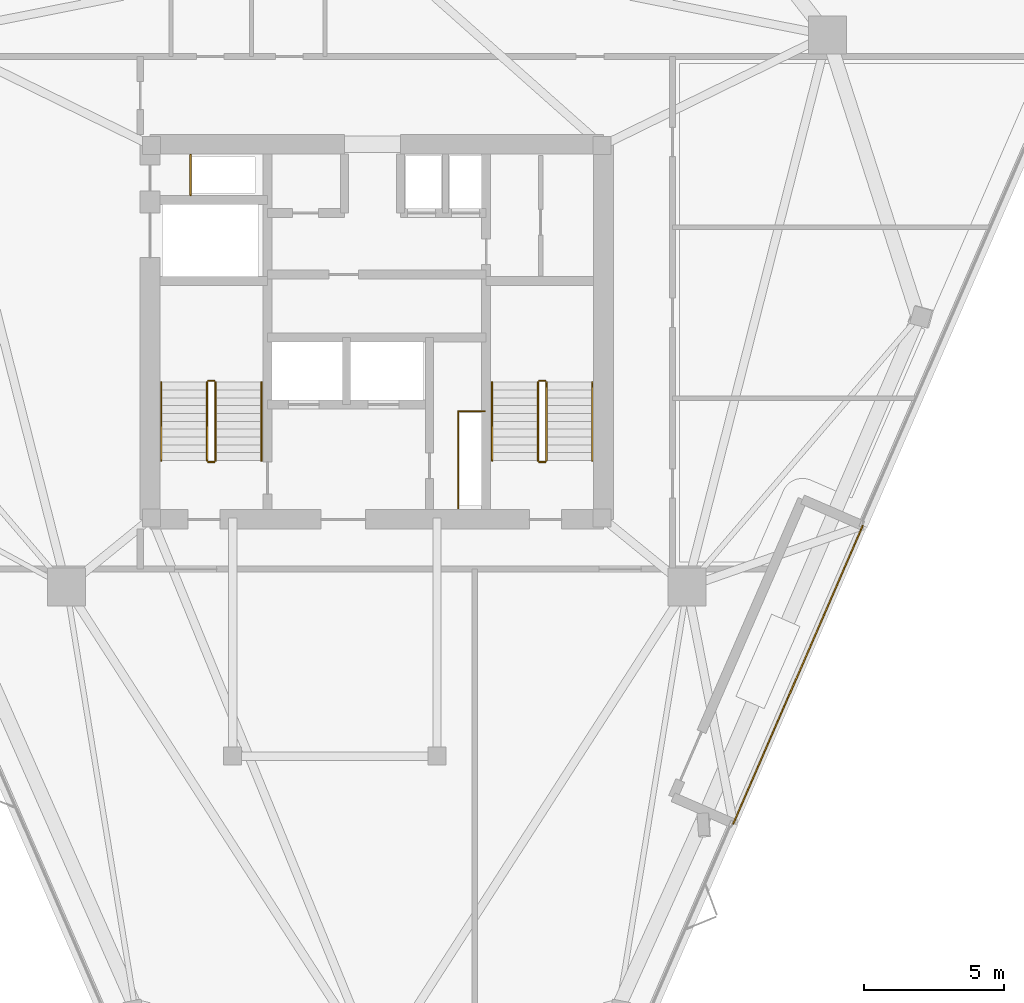
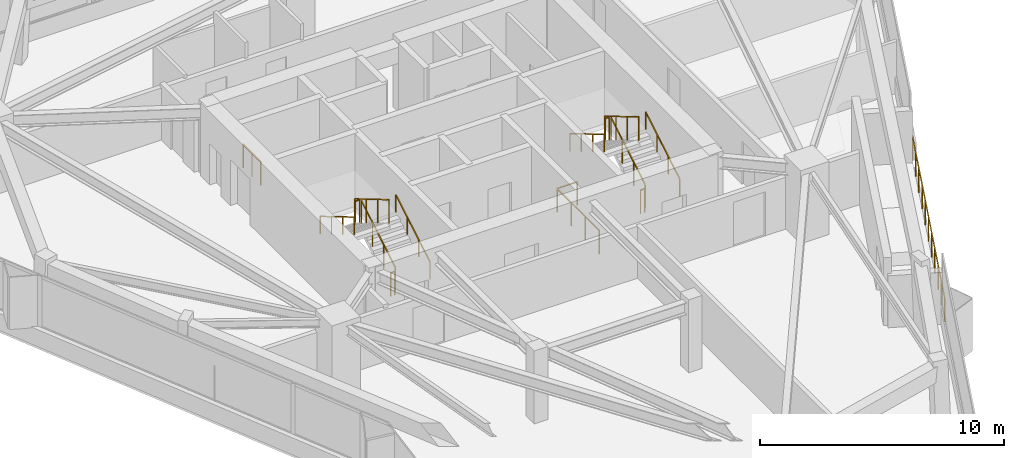
# One storey, part 10 of 11: 15 railings.
"""IFC4 building model written with IfcOpenShell, lengths in metres."""

from ifc_helpers import new_model, si_unit, direction, frame, origin, origin_2d, place, context, subcontext, project, spatial, rectangle, extrude, material, type_object, element, save


model = new_model("IFC4")

# Units and contexts
model_context = context("Model", 3, precision=1e-05, world=origin(), true_north=direction((0.0, 1.0)))
body_context = subcontext(model_context, "Body", "Model", "MODEL_VIEW")
ifc_project = project(units=[si_unit("LENGTHUNIT", "METRE"), si_unit("AREAUNIT", "SQUARE_METRE"), si_unit("VOLUMEUNIT", "CUBIC_METRE"), si_unit("PLANEANGLEUNIT", "RADIAN"), si_unit("MASSUNIT", "GRAM", prefix="KILO")], contexts=[model_context])

# Site, building, storey
site_placement = place(None, origin())
site = spatial("IfcSite", under=ifc_project, at=site_placement, CompositionType="ELEMENT")
building_placement = place(site_placement, origin())
building = spatial("IfcBuilding", under=site, at=building_placement, Name="Talyreon Biosciences Tower", CompositionType="ELEMENT")
storey_placement = place(building_placement, frame((0.0, 0.0, 201.300048828125)))
storey = spatial("IfcBuildingStorey", under=building, at=storey_placement, Name="L53", CompositionType="ELEMENT", Elevation=201.300048828125)

# Railings
ifc_material_1 = material(Name="Stainless-steel and laminated glass balustrade", Category="steel")
railing_type_1 = type_object("IfcRailingType", Name="SkyGardenGlassBalustrade_1250", PredefinedType="GUARDRAIL", material=ifc_material_1)
railing_1_placement = place(storey_placement, frame((83.36376953125, 61.074462890625, 0.0)))
element("IfcRailing", 1, at=railing_1_placement, inside=storey, type_object=railing_type_1, Name="L53 Terrace Edge Balustrade 03", PredefinedType="GUARDRAIL", context=body_context, shape_type="SweptSolid", body=[
    extrude(rectangle(XDim=0.048095703125, YDim=0.048095703125, at=origin_2d()), frame((0.0, 0.0, 1.22607421875), z_axis=(-0.398636069233, -0.917109199772, 0.0), x_axis=(0.917109199772, -0.398636069233, 0.0)), (0.0, 0.0, 1.0), 11.600341796875),
    extrude(rectangle(XDim=0.0419921875, YDim=0.0419921875, at=origin_2d()), origin(), (0.0, 0.0, 1.0), 1.201904296875),
    extrude(rectangle(XDim=0.0419921875, YDim=0.0419921875, at=origin_2d()), frame((-0.46240234375, -1.06396484375, 0.0)), (0.0, 0.0, 1.0), 1.201904296875),
    extrude(rectangle(XDim=0.0419921875, YDim=0.0419921875, at=origin_2d()), frame((-0.9248046875, -2.127685546875, 0.0)), (0.0, 0.0, 1.0), 1.201904296875),
    extrude(rectangle(XDim=0.0419921875, YDim=0.0419921875, at=origin_2d()), frame((-1.38720703125, -3.191650390625, 0.0)), (0.0, 0.0, 1.0), 1.201904296875),
    extrude(rectangle(XDim=0.0419921875, YDim=0.0419921875, at=origin_2d()), frame((-1.849609375, -4.25537109375, 0.0)), (0.0, 0.0, 1.0), 1.201904296875),
    extrude(rectangle(XDim=0.0419921875, YDim=0.0419921875, at=origin_2d()), frame((-2.31201171875, -5.3193359375, 0.0)), (0.0, 0.0, 1.0), 1.201904296875),
    extrude(rectangle(XDim=0.0419921875, YDim=0.0419921875, at=origin_2d()), frame((-2.774658203125, -6.38330078125, 0.0)), (0.0, 0.0, 1.0), 1.201904296875),
    extrude(rectangle(XDim=0.0419921875, YDim=0.0419921875, at=origin_2d()), frame((-3.237060546875, -7.447021484375, 0.0)), (0.0, 0.0, 1.0), 1.201904296875),
    extrude(rectangle(XDim=0.0419921875, YDim=0.0419921875, at=origin_2d()), frame((-3.699462890625, -8.510986328125, 0.0)), (0.0, 0.0, 1.0), 1.201904296875),
    extrude(rectangle(XDim=0.0419921875, YDim=0.0419921875, at=origin_2d()), frame((-4.161865234375, -9.57470703125, 0.0)), (0.0, 0.0, 1.0), 1.201904296875),
    extrude(rectangle(XDim=0.0419921875, YDim=0.0419921875, at=origin_2d()), frame((-4.624267578125, -10.638671875, 0.0)), (0.0, 0.0, 1.0), 1.201904296875),
])
ifc_material_2 = material(Name="Brushed stainless-steel tubular handrail", Category="steel")
railing_type_2 = type_object("IfcRailingType", Name="StairWallHandrail_900", PredefinedType="HANDRAIL", material=ifc_material_2)
railing_2_placement = place(storey_placement, frame((61.8798828125, 63.39990234375, 0.165771484375)))
element("IfcRailing", 2, at=railing_2_placement, inside=storey, type_object=railing_type_2, Name="L53 ST-1 stair handrail 1", PredefinedType="HANDRAIL", context=body_context, shape_type="SweptSolid", body=[
    extrude(rectangle(XDim=0.048095703125, YDim=0.048095703125, at=origin_2d()), frame((0.0, 0.0, 0.8759765625), z_axis=(0.0, 0.860306154799, 0.50977771628), x_axis=(-1.0, 0.0, 0.0)), (0.0, 0.0, 1.0), 3.254638671875),
    extrude(rectangle(XDim=0.0419921875, YDim=0.0419921875, at=origin_2d()), origin(), (0.0, 0.0, 1.0), 0.851806640625),
    extrude(rectangle(XDim=0.0419921875, YDim=0.0419921875, at=origin_2d()), frame((0.0, 0.933349609375, 0.552978515625)), (0.0, 0.0, 1.0), 0.851806640625),
    extrude(rectangle(XDim=0.0419921875, YDim=0.0419921875, at=origin_2d()), frame((0.0, 1.86669921875, 1.106201171875)), (0.0, 0.0, 1.0), 0.851806640625),
    extrude(rectangle(XDim=0.0419921875, YDim=0.0419921875, at=origin_2d()), frame((0.0, 2.800048828125, 1.6591796875)), (0.0, 0.0, 1.0), 0.851806640625),
])
railing_3_placement = place(storey_placement, frame((58.300048828125, 66.199951171875, 1.990966796875)))
element("IfcRailing", 3, at=railing_3_placement, inside=storey, type_object=railing_type_2, Name="L53 ST-1 stair handrail 2", PredefinedType="HANDRAIL", context=body_context, shape_type="SweptSolid", body=[
    extrude(rectangle(XDim=0.048095703125, YDim=0.048095703125, at=origin_2d()), frame((0.0, 0.0, 0.8759765625), z_axis=(0.0, -0.860339051648, 0.50972219513), x_axis=(1.0, 0.0, 0.0)), (0.0, 0.0, 1.0), 3.254638671875),
    extrude(rectangle(XDim=0.0419921875, YDim=0.0419921875, at=origin_2d()), origin(), (0.0, 0.0, 1.0), 0.851806640625),
    extrude(rectangle(XDim=0.0419921875, YDim=0.0419921875, at=origin_2d()), frame((0.0, -0.933349609375, 0.552978515625)), (0.0, 0.0, 1.0), 0.851806640625),
    extrude(rectangle(XDim=0.0419921875, YDim=0.0419921875, at=origin_2d()), frame((0.0, -1.86669921875, 1.10595703125)), (0.0, 0.0, 1.0), 0.851806640625),
    extrude(rectangle(XDim=0.0419921875, YDim=0.0419921875, at=origin_2d()), frame((0.0, -2.800048828125, 1.658935546875)), (0.0, 0.0, 1.0), 0.851806640625),
])
railing_4_placement = place(storey_placement, frame((73.699951171875, 63.39990234375, 0.165771484375)))
element("IfcRailing", 4, at=railing_4_placement, inside=storey, type_object=railing_type_2, Name="L53 ST-2 stair handrail 1", PredefinedType="HANDRAIL", context=body_context, shape_type="SweptSolid", body=[
    extrude(rectangle(XDim=0.048095703125, YDim=0.048095703125, at=origin_2d()), frame((0.0, 0.0, 0.8759765625), z_axis=(0.0, 0.860306154799, 0.50977771628), x_axis=(-1.0, 0.0, 0.0)), (0.0, 0.0, 1.0), 3.254638671875),
    extrude(rectangle(XDim=0.0419921875, YDim=0.0419921875, at=origin_2d()), origin(), (0.0, 0.0, 1.0), 0.851806640625),
    extrude(rectangle(XDim=0.0419921875, YDim=0.0419921875, at=origin_2d()), frame((0.0, 0.933349609375, 0.552978515625)), (0.0, 0.0, 1.0), 0.851806640625),
    extrude(rectangle(XDim=0.0419921875, YDim=0.0419921875, at=origin_2d()), frame((0.0, 1.86669921875, 1.106201171875)), (0.0, 0.0, 1.0), 0.851806640625),
    extrude(rectangle(XDim=0.0419921875, YDim=0.0419921875, at=origin_2d()), frame((0.0, 2.800048828125, 1.6591796875)), (0.0, 0.0, 1.0), 0.851806640625),
])
railing_5_placement = place(storey_placement, frame((70.1201171875, 66.199951171875, 1.990966796875)))
element("IfcRailing", 5, at=railing_5_placement, inside=storey, type_object=railing_type_2, Name="L53 ST-2 stair handrail 2", PredefinedType="HANDRAIL", context=body_context, shape_type="SweptSolid", body=[
    extrude(rectangle(XDim=0.048095703125, YDim=0.048095703125, at=origin_2d()), frame((0.0, 0.0, 0.8759765625), z_axis=(0.0, -0.860339051648, 0.50972219513), x_axis=(1.0, 0.0, 0.0)), (0.0, 0.0, 1.0), 3.254638671875),
    extrude(rectangle(XDim=0.0419921875, YDim=0.0419921875, at=origin_2d()), origin(), (0.0, 0.0, 1.0), 0.851806640625),
    extrude(rectangle(XDim=0.0419921875, YDim=0.0419921875, at=origin_2d()), frame((0.0, -0.933349609375, 0.552978515625)), (0.0, 0.0, 1.0), 0.851806640625),
    extrude(rectangle(XDim=0.0419921875, YDim=0.0419921875, at=origin_2d()), frame((0.0, -1.86669921875, 1.10595703125)), (0.0, 0.0, 1.0), 0.851806640625),
    extrude(rectangle(XDim=0.0419921875, YDim=0.0419921875, at=origin_2d()), frame((0.0, -2.800048828125, 1.658935546875)), (0.0, 0.0, 1.0), 0.851806640625),
])
ifc_material_3 = material(Name="Painted galvanised steel post-and-rail balustrade", Category="steel")
railing_type_3 = type_object("IfcRailingType", Name="TerraceStairGuard_1200", PredefinedType="GUARDRAIL", material=ifc_material_3)
railing_6_placement = place(storey_placement, frame((60.239990234375, 63.39990234375, 0.165771484375)))
element("IfcRailing", 6, at=railing_6_placement, inside=storey, type_object=railing_type_3, Name="L53 ST-1 stair guard 1", PredefinedType="GUARDRAIL", context=body_context, shape_type="SweptSolid", body=[
    extrude(rectangle(XDim=0.048095703125, YDim=0.048095703125, at=origin_2d()), frame((0.0, 0.0, 1.17578125), z_axis=(0.0, 0.860306154799, 0.50977771628), x_axis=(-1.0, 0.0, 0.0)), (0.0, 0.0, 1.0), 3.254638671875),
    extrude(rectangle(XDim=0.0419921875, YDim=0.0419921875, at=origin_2d()), origin(), (0.0, 0.0, 1.0), 1.15185546875),
    extrude(rectangle(XDim=0.0419921875, YDim=0.0419921875, at=origin_2d()), frame((0.0, 0.933349609375, 0.552978515625)), (0.0, 0.0, 1.0), 1.15185546875),
    extrude(rectangle(XDim=0.0419921875, YDim=0.0419921875, at=origin_2d()), frame((0.0, 1.86669921875, 1.106201171875)), (0.0, 0.0, 1.0), 1.15185546875),
    extrude(rectangle(XDim=0.0419921875, YDim=0.0419921875, at=origin_2d()), frame((0.0, 2.800048828125, 1.6591796875)), (0.0, 0.0, 1.0), 1.15185546875),
])
railing_7_placement = place(storey_placement, frame((60.18994140625, 66.25, 1.824951171875)))
element("IfcRailing", 7, at=railing_7_placement, inside=storey, type_object=railing_type_3, Name="L53 ST-1 stair guard 2", PredefinedType="GUARDRAIL", context=body_context, shape_type="SweptSolid", body=[
    extrude(rectangle(XDim=0.048095703125, YDim=0.048095703125, at=origin_2d()), frame((0.0, 0.0, 1.17578125), z_axis=(-1.0, 0.0, 0.0), x_axis=(0.0, -1.0, 0.0)), (0.0, 0.0, 1.0), 0.199951171875),
    extrude(rectangle(XDim=0.0419921875, YDim=0.0419921875, at=origin_2d()), origin(), (0.0, 0.0, 1.0), 1.15185546875),
    extrude(rectangle(XDim=0.0419921875, YDim=0.0419921875, at=origin_2d()), frame((-0.199951171875, 0.0, 0.0)), (0.0, 0.0, 1.0), 1.15185546875),
])
railing_8_placement = place(storey_placement, frame((59.93994140625, 66.199951171875, 1.990966796875)))
element("IfcRailing", 8, at=railing_8_placement, inside=storey, type_object=railing_type_3, Name="L53 ST-1 stair guard 3", PredefinedType="GUARDRAIL", context=body_context, shape_type="SweptSolid", body=[
    extrude(rectangle(XDim=0.048095703125, YDim=0.048095703125, at=origin_2d()), frame((0.0, 0.0, 1.17578125), z_axis=(0.0, -0.860339051648, 0.50972219513), x_axis=(1.0, 0.0, 0.0)), (0.0, 0.0, 1.0), 3.254638671875),
    extrude(rectangle(XDim=0.0419921875, YDim=0.0419921875, at=origin_2d()), origin(), (0.0, 0.0, 1.0), 1.15185546875),
    extrude(rectangle(XDim=0.0419921875, YDim=0.0419921875, at=origin_2d()), frame((0.0, -0.933349609375, 0.552978515625)), (0.0, 0.0, 1.0), 1.15185546875),
    extrude(rectangle(XDim=0.0419921875, YDim=0.0419921875, at=origin_2d()), frame((0.0, -1.86669921875, 1.10595703125)), (0.0, 0.0, 1.0), 1.15185546875),
    extrude(rectangle(XDim=0.0419921875, YDim=0.0419921875, at=origin_2d()), frame((0.0, -2.800048828125, 1.658935546875)), (0.0, 0.0, 1.0), 1.15185546875),
])
railing_9_placement = place(storey_placement, frame((60.18994140625, 63.35009765625, 0.0)))
element("IfcRailing", 9, at=railing_9_placement, inside=storey, type_object=railing_type_3, Name="L53 ST-1 stair guard 4", PredefinedType="GUARDRAIL", context=body_context, shape_type="SweptSolid", body=[
    extrude(rectangle(XDim=0.048095703125, YDim=0.048095703125, at=origin_2d()), frame((0.0, 0.0, 1.17578125), z_axis=(-1.0, 0.0, 0.0), x_axis=(0.0, -1.0, 0.0)), (0.0, 0.0, 1.0), 0.199951171875),
    extrude(rectangle(XDim=0.0419921875, YDim=0.0419921875, at=origin_2d()), origin(), (0.0, 0.0, 1.0), 1.15185546875),
    extrude(rectangle(XDim=0.0419921875, YDim=0.0419921875, at=origin_2d()), frame((-0.199951171875, 0.0, 0.0)), (0.0, 0.0, 1.0), 1.15185546875),
])
railing_10_placement = place(storey_placement, frame((72.06005859375, 63.39990234375, 0.165771484375)))
element("IfcRailing", 10, at=railing_10_placement, inside=storey, type_object=railing_type_3, Name="L53 ST-2 stair guard 1", PredefinedType="GUARDRAIL", context=body_context, shape_type="SweptSolid", body=[
    extrude(rectangle(XDim=0.048095703125, YDim=0.048095703125, at=origin_2d()), frame((0.0, 0.0, 1.17578125), z_axis=(0.0, 0.860306154799, 0.50977771628), x_axis=(-1.0, 0.0, 0.0)), (0.0, 0.0, 1.0), 3.254638671875),
    extrude(rectangle(XDim=0.0419921875, YDim=0.0419921875, at=origin_2d()), origin(), (0.0, 0.0, 1.0), 1.15185546875),
    extrude(rectangle(XDim=0.0419921875, YDim=0.0419921875, at=origin_2d()), frame((0.0, 0.933349609375, 0.552978515625)), (0.0, 0.0, 1.0), 1.15185546875),
    extrude(rectangle(XDim=0.0419921875, YDim=0.0419921875, at=origin_2d()), frame((0.0, 1.86669921875, 1.106201171875)), (0.0, 0.0, 1.0), 1.15185546875),
    extrude(rectangle(XDim=0.0419921875, YDim=0.0419921875, at=origin_2d()), frame((0.0, 2.800048828125, 1.6591796875)), (0.0, 0.0, 1.0), 1.15185546875),
])
railing_11_placement = place(storey_placement, frame((72.010009765625, 66.25, 1.824951171875)))
element("IfcRailing", 11, at=railing_11_placement, inside=storey, type_object=railing_type_3, Name="L53 ST-2 stair guard 2", PredefinedType="GUARDRAIL", context=body_context, shape_type="SweptSolid", body=[
    extrude(rectangle(XDim=0.048095703125, YDim=0.048095703125, at=origin_2d()), frame((0.0, 0.0, 1.17578125), z_axis=(-1.0, 0.0, 0.0), x_axis=(0.0, -1.0, 0.0)), (0.0, 0.0, 1.0), 0.199951171875),
    extrude(rectangle(XDim=0.0419921875, YDim=0.0419921875, at=origin_2d()), origin(), (0.0, 0.0, 1.0), 1.15185546875),
    extrude(rectangle(XDim=0.0419921875, YDim=0.0419921875, at=origin_2d()), frame((-0.199951171875, 0.0, 0.0)), (0.0, 0.0, 1.0), 1.15185546875),
])
railing_12_placement = place(storey_placement, frame((71.760009765625, 66.199951171875, 1.990966796875)))
element("IfcRailing", 12, at=railing_12_placement, inside=storey, type_object=railing_type_3, Name="L53 ST-2 stair guard 3", PredefinedType="GUARDRAIL", context=body_context, shape_type="SweptSolid", body=[
    extrude(rectangle(XDim=0.048095703125, YDim=0.048095703125, at=origin_2d()), frame((0.0, 0.0, 1.17578125), z_axis=(0.0, -0.860339051648, 0.50972219513), x_axis=(1.0, 0.0, 0.0)), (0.0, 0.0, 1.0), 3.254638671875),
    extrude(rectangle(XDim=0.0419921875, YDim=0.0419921875, at=origin_2d()), origin(), (0.0, 0.0, 1.0), 1.15185546875),
    extrude(rectangle(XDim=0.0419921875, YDim=0.0419921875, at=origin_2d()), frame((0.0, -0.933349609375, 0.552978515625)), (0.0, 0.0, 1.0), 1.15185546875),
    extrude(rectangle(XDim=0.0419921875, YDim=0.0419921875, at=origin_2d()), frame((0.0, -1.86669921875, 1.10595703125)), (0.0, 0.0, 1.0), 1.15185546875),
    extrude(rectangle(XDim=0.0419921875, YDim=0.0419921875, at=origin_2d()), frame((0.0, -2.800048828125, 1.658935546875)), (0.0, 0.0, 1.0), 1.15185546875),
])
railing_13_placement = place(storey_placement, frame((72.010009765625, 63.35009765625, 0.0)))
element("IfcRailing", 13, at=railing_13_placement, inside=storey, type_object=railing_type_3, Name="L53 ST-2 stair guard 4", PredefinedType="GUARDRAIL", context=body_context, shape_type="SweptSolid", body=[
    extrude(rectangle(XDim=0.048095703125, YDim=0.048095703125, at=origin_2d()), frame((0.0, 0.0, 1.17578125), z_axis=(-1.0, 0.0, 0.0), x_axis=(0.0, -1.0, 0.0)), (0.0, 0.0, 1.0), 0.199951171875),
    extrude(rectangle(XDim=0.0419921875, YDim=0.0419921875, at=origin_2d()), origin(), (0.0, 0.0, 1.0), 1.15185546875),
    extrude(rectangle(XDim=0.0419921875, YDim=0.0419921875, at=origin_2d()), frame((-0.199951171875, 0.0, 0.0)), (0.0, 0.0, 1.0), 1.15185546875),
])
railing_14_placement = place(storey_placement, frame((59.35009765625, 72.8798828125, 0.0)))
element("IfcRailing", 14, at=railing_14_placement, inside=storey, type_object=railing_type_3, Name="L53 Exhaust Riser Maintenance Guardrail", PredefinedType="GUARDRAIL", context=body_context, shape_type="SweptSolid", body=[
    extrude(rectangle(XDim=0.048095703125, YDim=0.048095703125, at=origin_2d()), frame((0.0, 0.0, 1.17578125), z_axis=(0.0, 1.0, 0.0), x_axis=(-1.0, 0.0, 0.0)), (0.0, 0.0, 1.0), 1.4501953125),
    extrude(rectangle(XDim=0.0419921875, YDim=0.0419921875, at=origin_2d()), origin(), (0.0, 0.0, 1.0), 1.15185546875),
    extrude(rectangle(XDim=0.0419921875, YDim=0.0419921875, at=origin_2d()), frame((0.0, 0.72509765625, 0.0)), (0.0, 0.0, 1.0), 1.15185546875),
    extrude(rectangle(XDim=0.0419921875, YDim=0.0419921875, at=origin_2d()), frame((0.0, 1.4501953125, 0.0)), (0.0, 0.0, 1.0), 1.15185546875),
])
railing_15_placement = place(storey_placement, frame((68.909912109375, 61.699951171875, 0.0)))
element("IfcRailing", 15, at=railing_15_placement, inside=storey, type_object=railing_type_3, Name="L53 Electrical Riser Maintenance Guardrail", PredefinedType="GUARDRAIL", context=body_context, shape_type="SweptSolid", body=[
    extrude(rectangle(XDim=0.048095703125, YDim=0.048095703125, at=origin_2d()), frame((0.0, 0.0, 1.17578125), z_axis=(0.0, 1.0, 0.0), x_axis=(-1.0, 0.0, 0.0)), (0.0, 0.0, 1.0), 3.4599609375),
    extrude(rectangle(XDim=0.048095703125, YDim=0.048095703125, at=origin_2d()), frame((0.0, 3.4599609375, 1.17578125), z_axis=(1.0, 0.0, 0.0), x_axis=(0.0, 1.0, 0.0)), (0.0, 0.0, 1.0), 0.9501953125),
    extrude(rectangle(XDim=0.0419921875, YDim=0.0419921875, at=origin_2d()), origin(), (0.0, 0.0, 1.0), 1.15185546875),
    extrude(rectangle(XDim=0.0419921875, YDim=0.0419921875, at=origin_2d()), frame((0.0, 1.1533203125, 0.0)), (0.0, 0.0, 1.0), 1.15185546875),
    extrude(rectangle(XDim=0.0419921875, YDim=0.0419921875, at=origin_2d()), frame((0.0, 2.306640625, 0.0)), (0.0, 0.0, 1.0), 1.15185546875),
    extrude(rectangle(XDim=0.0419921875, YDim=0.0419921875, at=origin_2d()), frame((0.0, 3.4599609375, 0.0)), (0.0, 0.0, 1.0), 1.15185546875),
    extrude(rectangle(XDim=0.0419921875, YDim=0.0419921875, at=origin_2d()), frame((0.9501953125, 3.4599609375, 0.0)), (0.0, 0.0, 1.0), 1.15185546875),
])

save(model, "model.ifc")
